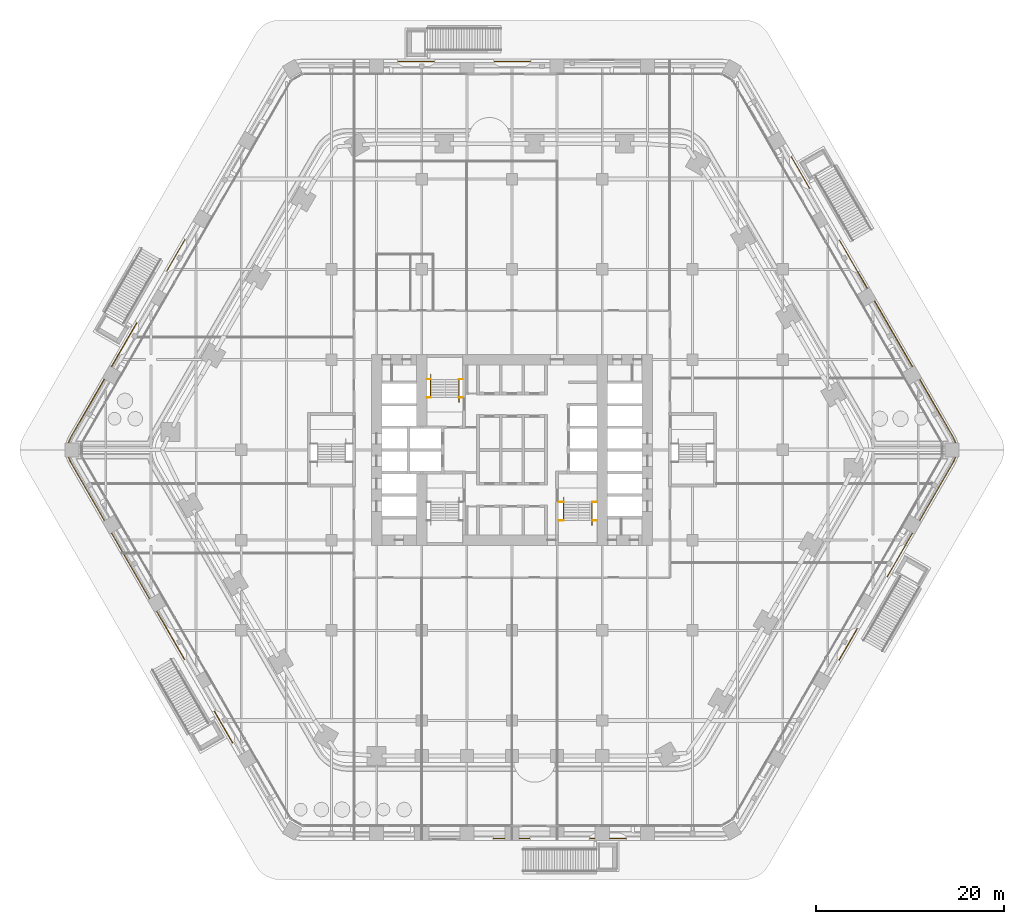
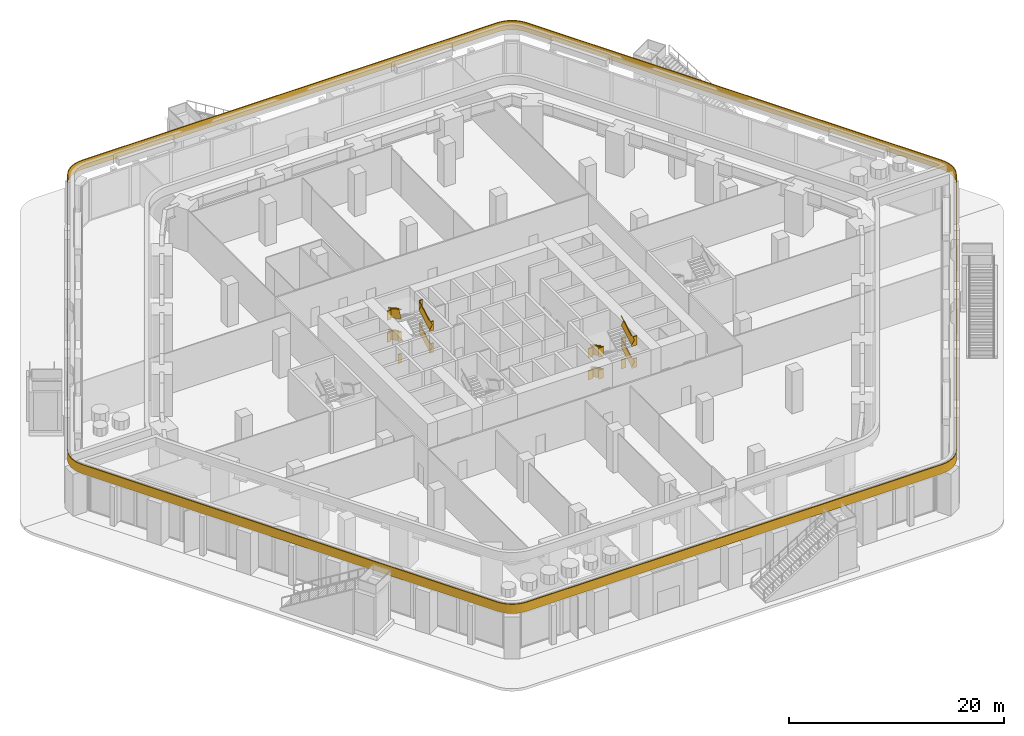
# One storey, part 31 of 34: 5 railings.
"""IFC4 building model written with IfcOpenShell, lengths in metres."""

from ifc_helpers import new_model, si_unit, direction, frame, frame_2d, origin, origin_2d, place, context, subcontext, project, spatial, rectangle, extrude, material, type_object, element, save


model = new_model("IFC4")

# Units and contexts
model_context = context("Model", 3, precision=1e-05, world=origin(), true_north=direction((0.0, 1.0)))
body_context = subcontext(model_context, "Body", "Model", "MODEL_VIEW")
ifc_project = project(units=[si_unit("LENGTHUNIT", "METRE"), si_unit("AREAUNIT", "SQUARE_METRE"), si_unit("VOLUMEUNIT", "CUBIC_METRE"), si_unit("PLANEANGLEUNIT", "RADIAN"), si_unit("MASSUNIT", "GRAM", prefix="KILO")], contexts=[model_context])

# Site, building, storey
site_placement = place(None, origin())
site = spatial("IfcSite", under=ifc_project, at=site_placement, CompositionType="ELEMENT")
building_placement = place(site_placement, origin())
building = spatial("IfcBuilding", under=site, at=building_placement, Name="Kolab Exchange Tower", CompositionType="ELEMENT")
storey_placement = place(building_placement, frame((0.0, 0.0, 12.39990234375)))
storey = spatial("IfcBuildingStorey", under=building, at=storey_placement, Name="L02", CompositionType="ELEMENT", Elevation=12.39990234375)

# Railings
ifc_material_1 = material(Name="Stainless steel 316", Category="steel")
railing_type_1 = type_object("IfcRailingType", Name="GUARD 1100", PredefinedType="GUARDRAIL", material=ifc_material_1)
railing_1_placement = place(storey_placement, frame((-9.050048828125, 5.550048828125, 0.0)))
element("IfcRailing", 1, at=railing_1_placement, inside=storey, type_object=railing_type_1, Name="Guard ST1", PredefinedType="GUARDRAIL", context=body_context, shape_type="SweptSolid", body=[
    extrude(rectangle(XDim=0.05, YDim=0.05, at=origin_2d()), frame((0.0, 0.0, 1.0751953125), z_axis=(1.0, 0.0, 0.0), x_axis=(0.0, 1.0, 0.0)), (0.0, 0.0, 1.0), 0.39013671875),
    extrude(rectangle(XDim=0.012, YDim=1.05009765625, at=frame_2d((0.0, 0.525146484375))), frame((0.0, 0.0, 0.0), z_axis=(1.0, 0.0, 0.0), x_axis=(0.0, 1.0, 0.0)), (0.0, 0.0, 1.0), 0.39013671875),
    extrude(rectangle(XDim=0.05, YDim=0.05, at=origin_2d()), frame((3.41015625, 0.0, 1.0751953125), z_axis=(1.0, 0.0, 0.0), x_axis=(0.0, 1.0, 0.0)), (0.0, 0.0, 1.0), 0.389892578125),
    extrude(rectangle(XDim=0.012, YDim=1.05009765625, at=frame_2d((0.0, 0.525146484375))), frame((3.41015625, 0.0, 0.0), z_axis=(1.0, 0.0, 0.0), x_axis=(0.0, 1.0, 0.0)), (0.0, 0.0, 1.0), 0.389892578125),
    extrude(rectangle(XDim=0.05, YDim=0.05, at=origin_2d()), frame((0.0, 1.9599609375, 2.3251953125), z_axis=(1.0, 0.0, 0.0), x_axis=(0.0, 1.0, 0.0)), (0.0, 0.0, 1.0), 0.39013671875),
    extrude(rectangle(XDim=0.012, YDim=1.05009765625, at=frame_2d((0.0, 0.525146484375))), frame((0.0, 1.9599609375, 1.25), z_axis=(1.0, 0.0, 0.0), x_axis=(0.0, 1.0, 0.0)), (0.0, 0.0, 1.0), 0.39013671875),
    extrude(rectangle(XDim=0.05, YDim=0.05, at=origin_2d()), frame((3.41015625, 1.9599609375, 2.3251953125), z_axis=(1.0, 0.0, 0.0), x_axis=(0.0, 1.0, 0.0)), (0.0, 0.0, 1.0), 0.389892578125),
    extrude(rectangle(XDim=0.012, YDim=1.05009765625, at=frame_2d((0.0, 0.525146484375))), frame((3.41015625, 1.9599609375, 1.25), z_axis=(1.0, 0.0, 0.0), x_axis=(0.0, 1.0, 0.0)), (0.0, 0.0, 1.0), 0.389892578125),
    extrude(rectangle(XDim=0.05, YDim=0.05, at=origin_2d()), frame((0.0, 0.0, 3.5751953125), z_axis=(1.0, 0.0, 0.0), x_axis=(0.0, 1.0, 0.0)), (0.0, 0.0, 1.0), 0.39013671875),
    extrude(rectangle(XDim=0.012, YDim=1.05009765625, at=frame_2d((0.0, 0.525146484375))), frame((0.0, 0.0, 2.5), z_axis=(1.0, 0.0, 0.0), x_axis=(0.0, 1.0, 0.0)), (0.0, 0.0, 1.0), 0.39013671875),
    extrude(rectangle(XDim=0.05, YDim=0.05, at=origin_2d()), frame((3.41015625, 0.0, 3.5751953125), z_axis=(1.0, 0.0, 0.0), x_axis=(0.0, 1.0, 0.0)), (0.0, 0.0, 1.0), 0.389892578125),
    extrude(rectangle(XDim=0.012, YDim=1.05009765625, at=frame_2d((0.0, 0.525146484375))), frame((3.41015625, 0.0, 2.5), z_axis=(1.0, 0.0, 0.0), x_axis=(0.0, 1.0, 0.0)), (0.0, 0.0, 1.0), 0.389892578125),
    extrude(rectangle(XDim=0.05, YDim=0.05, at=origin_2d()), frame((0.0, 1.9599609375, 4.8251953125), z_axis=(1.0, 0.0, 0.0), x_axis=(0.0, 1.0, 0.0)), (0.0, 0.0, 1.0), 0.39013671875),
    extrude(rectangle(XDim=0.012, YDim=1.05009765625, at=frame_2d((0.0, 0.525146484375))), frame((0.0, 1.9599609375, 3.75), z_axis=(1.0, 0.0, 0.0), x_axis=(0.0, 1.0, 0.0)), (0.0, 0.0, 1.0), 0.39013671875),
    extrude(rectangle(XDim=0.05, YDim=0.05, at=origin_2d()), frame((3.41015625, 1.9599609375, 4.8251953125), z_axis=(1.0, 0.0, 0.0), x_axis=(0.0, 1.0, 0.0)), (0.0, 0.0, 1.0), 0.389892578125),
    extrude(rectangle(XDim=0.012, YDim=1.05009765625, at=frame_2d((0.0, 0.525146484375))), frame((3.41015625, 1.9599609375, 3.75), z_axis=(1.0, 0.0, 0.0), x_axis=(0.0, 1.0, 0.0)), (0.0, 0.0, 1.0), 0.389892578125),
])
railing_2_placement = place(storey_placement, frame((-5.639892578125, 5.550048828125, 0.156494140625)))
element("IfcRailing", 2, at=railing_2_placement, inside=storey, type_object=railing_type_1, Name="Handrail guard ST1", PredefinedType="GUARDRAIL", context=body_context, shape_type="SweptSolid", body=[
    extrude(rectangle(XDim=0.05, YDim=0.05, at=origin_2d()), frame((0.0, 0.0, 1.0751953125), z_axis=(0.0, 0.873278433264, 0.487221487617), x_axis=(-1.0, 0.0, 0.0)), (0.0, 0.0, 1.0), 2.244384765625),
    extrude(rectangle(XDim=0.012, YDim=1.05009765625, at=frame_2d((0.0, 0.525146484375))), frame((0.0, 0.0, 0.0), z_axis=(0.0, 0.873278433264, 0.487221487617), x_axis=(-1.0, 0.0, 0.0)), (0.0, 0.0, 1.0), 2.244384765625),
    extrude(rectangle(XDim=0.05, YDim=0.05, at=origin_2d()), frame((-3.02001953125, 1.9599609375, 2.3251953125), z_axis=(0.0, -0.873278433264, 0.487221487617), x_axis=(1.0, 0.0, 0.0)), (0.0, 0.0, 1.0), 2.244384765625),
    extrude(rectangle(XDim=0.012, YDim=1.05009765625, at=frame_2d((0.0, 0.525146484375))), frame((-3.02001953125, 1.9599609375, 1.25), z_axis=(0.0, -0.873278433264, 0.487221487617), x_axis=(1.0, 0.0, 0.0)), (0.0, 0.0, 1.0), 2.244384765625),
    extrude(rectangle(XDim=0.05, YDim=0.05, at=origin_2d()), frame((0.0, 0.0, 3.5751953125), z_axis=(0.0, 0.873278433264, 0.487221487617), x_axis=(-1.0, 0.0, 0.0)), (0.0, 0.0, 1.0), 2.244384765625),
    extrude(rectangle(XDim=0.012, YDim=1.05009765625, at=frame_2d((0.0, 0.525146484375))), frame((0.0, 0.0, 2.5), z_axis=(0.0, 0.873278433264, 0.487221487617), x_axis=(-1.0, 0.0, 0.0)), (0.0, 0.0, 1.0), 2.244384765625),
    extrude(rectangle(XDim=0.05, YDim=0.05, at=origin_2d()), frame((-3.02001953125, 1.9599609375, 4.824951171875), z_axis=(0.0, -0.873232148454, 0.487304437602), x_axis=(1.0, 0.0, 0.0)), (0.0, 0.0, 1.0), 2.244384765625),
    extrude(rectangle(XDim=0.012, YDim=1.05009765625, at=frame_2d((0.0, 0.525146484375))), frame((-3.02001953125, 1.9599609375, 3.749755859375), z_axis=(0.0, -0.873232148454, 0.487304437602), x_axis=(1.0, 0.0, 0.0)), (0.0, 0.0, 1.0), 2.244384765625),
])
railing_3_placement = place(storey_placement, frame((4.949951171875, -5.550048828125, 0.0)))
element("IfcRailing", 3, at=railing_3_placement, inside=storey, type_object=railing_type_1, Name="Guard ST2", PredefinedType="GUARDRAIL", context=body_context, shape_type="SweptSolid", body=[
    extrude(rectangle(XDim=0.05, YDim=0.05, at=origin_2d()), frame((0.0, 0.0, 1.0751953125), z_axis=(1.0, 0.0, 0.0), x_axis=(0.0, 1.0, 0.0)), (0.0, 0.0, 1.0), 0.5400390625),
    extrude(rectangle(XDim=0.012, YDim=1.05009765625, at=frame_2d((0.0, 0.525146484375))), frame((0.0, 0.0, 0.0), z_axis=(1.0, 0.0, 0.0), x_axis=(0.0, 1.0, 0.0)), (0.0, 0.0, 1.0), 0.5400390625),
    extrude(rectangle(XDim=0.05, YDim=0.05, at=origin_2d()), frame((3.56005859375, 0.0, 1.0751953125), z_axis=(1.0, 0.0, 0.0), x_axis=(0.0, 1.0, 0.0)), (0.0, 0.0, 1.0), 0.5400390625),
    extrude(rectangle(XDim=0.012, YDim=1.05009765625, at=frame_2d((0.0, 0.525146484375))), frame((3.56005859375, 0.0, 0.0), z_axis=(1.0, 0.0, 0.0), x_axis=(0.0, 1.0, 0.0)), (0.0, 0.0, 1.0), 0.5400390625),
    extrude(rectangle(XDim=0.05, YDim=0.05, at=origin_2d()), frame((0.0, -1.9599609375, 2.3251953125), z_axis=(1.0, 0.0, 0.0), x_axis=(0.0, 1.0, 0.0)), (0.0, 0.0, 1.0), 0.5400390625),
    extrude(rectangle(XDim=0.012, YDim=1.05009765625, at=frame_2d((0.0, 0.525146484375))), frame((0.0, -1.9599609375, 1.25), z_axis=(1.0, 0.0, 0.0), x_axis=(0.0, 1.0, 0.0)), (0.0, 0.0, 1.0), 0.5400390625),
    extrude(rectangle(XDim=0.05, YDim=0.05, at=origin_2d()), frame((3.56005859375, -1.9599609375, 2.3251953125), z_axis=(1.0, 0.0, 0.0), x_axis=(0.0, 1.0, 0.0)), (0.0, 0.0, 1.0), 0.5400390625),
    extrude(rectangle(XDim=0.012, YDim=1.05009765625, at=frame_2d((0.0, 0.525146484375))), frame((3.56005859375, -1.9599609375, 1.25), z_axis=(1.0, 0.0, 0.0), x_axis=(0.0, 1.0, 0.0)), (0.0, 0.0, 1.0), 0.5400390625),
    extrude(rectangle(XDim=0.05, YDim=0.05, at=origin_2d()), frame((0.0, 0.0, 3.5751953125), z_axis=(1.0, 0.0, 0.0), x_axis=(0.0, 1.0, 0.0)), (0.0, 0.0, 1.0), 0.5400390625),
    extrude(rectangle(XDim=0.012, YDim=1.05009765625, at=frame_2d((0.0, 0.525146484375))), frame((0.0, 0.0, 2.5), z_axis=(1.0, 0.0, 0.0), x_axis=(0.0, 1.0, 0.0)), (0.0, 0.0, 1.0), 0.5400390625),
    extrude(rectangle(XDim=0.05, YDim=0.05, at=origin_2d()), frame((3.56005859375, 0.0, 3.5751953125), z_axis=(1.0, 0.0, 0.0), x_axis=(0.0, 1.0, 0.0)), (0.0, 0.0, 1.0), 0.5400390625),
    extrude(rectangle(XDim=0.012, YDim=1.05009765625, at=frame_2d((0.0, 0.525146484375))), frame((3.56005859375, 0.0, 2.5), z_axis=(1.0, 0.0, 0.0), x_axis=(0.0, 1.0, 0.0)), (0.0, 0.0, 1.0), 0.5400390625),
    extrude(rectangle(XDim=0.05, YDim=0.05, at=origin_2d()), frame((0.0, -1.9599609375, 4.8251953125), z_axis=(1.0, 0.0, 0.0), x_axis=(0.0, 1.0, 0.0)), (0.0, 0.0, 1.0), 0.5400390625),
    extrude(rectangle(XDim=0.012, YDim=1.05009765625, at=frame_2d((0.0, 0.525146484375))), frame((0.0, -1.9599609375, 3.75), z_axis=(1.0, 0.0, 0.0), x_axis=(0.0, 1.0, 0.0)), (0.0, 0.0, 1.0), 0.5400390625),
    extrude(rectangle(XDim=0.05, YDim=0.05, at=origin_2d()), frame((3.56005859375, -1.9599609375, 4.8251953125), z_axis=(1.0, 0.0, 0.0), x_axis=(0.0, 1.0, 0.0)), (0.0, 0.0, 1.0), 0.5400390625),
    extrude(rectangle(XDim=0.012, YDim=1.05009765625, at=frame_2d((0.0, 0.525146484375))), frame((3.56005859375, -1.9599609375, 3.75), z_axis=(1.0, 0.0, 0.0), x_axis=(0.0, 1.0, 0.0)), (0.0, 0.0, 1.0), 0.5400390625),
])
railing_4_placement = place(storey_placement, frame((5.489990234375, -5.550048828125, 0.156494140625)))
element("IfcRailing", 4, at=railing_4_placement, inside=storey, type_object=railing_type_1, Name="Handrail guard ST2", PredefinedType="GUARDRAIL", context=body_context, shape_type="SweptSolid", body=[
    extrude(rectangle(XDim=0.05, YDim=0.05, at=origin_2d()), frame((0.0, 0.0, 1.0751953125), z_axis=(0.0, -0.873278433264, 0.487221487617), x_axis=(1.0, 0.0, 0.0)), (0.0, 0.0, 1.0), 2.244384765625),
    extrude(rectangle(XDim=0.012, YDim=1.05009765625, at=frame_2d((0.0, 0.525146484375))), frame((0.0, 0.0, 0.0), z_axis=(0.0, -0.873278433264, 0.487221487617), x_axis=(1.0, 0.0, 0.0)), (0.0, 0.0, 1.0), 2.244384765625),
    extrude(rectangle(XDim=0.05, YDim=0.05, at=origin_2d()), frame((3.02001953125, -1.9599609375, 2.3251953125), z_axis=(0.0, 0.873278433264, 0.487221487617), x_axis=(-1.0, 0.0, 0.0)), (0.0, 0.0, 1.0), 2.244384765625),
    extrude(rectangle(XDim=0.012, YDim=1.05009765625, at=frame_2d((0.0, 0.525146484375))), frame((3.02001953125, -1.9599609375, 1.25), z_axis=(0.0, 0.873278433264, 0.487221487617), x_axis=(-1.0, 0.0, 0.0)), (0.0, 0.0, 1.0), 2.244384765625),
    extrude(rectangle(XDim=0.05, YDim=0.05, at=origin_2d()), frame((0.0, 0.0, 3.5751953125), z_axis=(0.0, -0.873278433264, 0.487221487617), x_axis=(1.0, 0.0, 0.0)), (0.0, 0.0, 1.0), 2.244384765625),
    extrude(rectangle(XDim=0.012, YDim=1.05009765625, at=frame_2d((0.0, 0.525146484375))), frame((0.0, 0.0, 2.5), z_axis=(0.0, -0.873278433264, 0.487221487617), x_axis=(1.0, 0.0, 0.0)), (0.0, 0.0, 1.0), 2.244384765625),
    extrude(rectangle(XDim=0.05, YDim=0.05, at=origin_2d()), frame((3.02001953125, -1.9599609375, 4.824951171875), z_axis=(0.0, 0.873232148454, 0.487304437602), x_axis=(-1.0, 0.0, 0.0)), (0.0, 0.0, 1.0), 2.244384765625),
    extrude(rectangle(XDim=0.012, YDim=1.05009765625, at=frame_2d((0.0, 0.525146484375))), frame((3.02001953125, -1.9599609375, 3.749755859375), z_axis=(0.0, 0.873232148454, 0.487304437602), x_axis=(-1.0, 0.0, 0.0)), (0.0, 0.0, 1.0), 2.244384765625),
])
ifc_material_2 = material(Name="Steel S235", Category="steel")
railing_type_2 = type_object("IfcRailingType", Name="GUARD 1100 GLASS BALUSTRADE AND STEEL TOP RAIL", PredefinedType="GUARDRAIL", material=ifc_material_2)
railing_5_placement = place(storey_placement, frame((46.912109375, -1.384521484375, 5.0)))
element("IfcRailing", 5, at=railing_5_placement, inside=storey, type_object=railing_type_2, Name="Terrace guard", PredefinedType="GUARDRAIL", context=body_context, shape_type="SweptSolid", body=[
    extrude(rectangle(XDim=0.05, YDim=0.05, at=origin_2d()), frame((0.0, 0.0, 1.0751953125), z_axis=(-0.50000097815, -0.866024839048, 0.0), x_axis=(0.866024839048, -0.50000097815, 0.0)), (0.0, 0.0, 1.0), 44.51416015625),
    extrude(rectangle(XDim=0.012, YDim=1.05009765625, at=frame_2d((0.0, 0.525146484375))), frame((0.0, 0.0, 0.0), z_axis=(-0.50000097815, -0.866024839048, 0.0), x_axis=(0.866024839048, -0.50000097815, 0.0)), (0.0, 0.0, 1.0), 44.51416015625),
    extrude(rectangle(XDim=0.05, YDim=0.05, at=origin_2d()), frame((-22.257080078125, -38.55029296875, 1.0751953125), z_axis=(-0.573863466501, -0.818950988653, 0.0), x_axis=(0.818950988653, -0.573863466501, 0.0)), (0.0, 0.0, 1.0), 0.489990234375),
    extrude(rectangle(XDim=0.012, YDim=1.05009765625, at=frame_2d((0.0, 0.525146484375))), frame((-22.257080078125, -38.55029296875, 0.0), z_axis=(-0.573863466501, -0.818950988653, 0.0), x_axis=(0.818950988653, -0.573863466501, 0.0)), (0.0, 0.0, 1.0), 0.489990234375),
    extrude(rectangle(XDim=0.05, YDim=0.05, at=origin_2d()), frame((-22.538330078125, -38.95166015625, 1.0751953125), z_axis=(-0.707106781187, -0.707106781187, 0.0), x_axis=(0.707106781187, -0.707106781187, 0.0)), (0.0, 0.0, 1.0), 0.479248046875),
    extrude(rectangle(XDim=0.012, YDim=1.05009765625, at=frame_2d((0.0, 0.525146484375))), frame((-22.538330078125, -38.95166015625, 0.0), z_axis=(-0.707106781187, -0.707106781187, 0.0), x_axis=(0.707106781187, -0.707106781187, 0.0)), (0.0, 0.0, 1.0), 0.479248046875),
    extrude(rectangle(XDim=0.05, YDim=0.05, at=origin_2d()), frame((-22.877197265625, -39.29052734375, 1.0751953125), z_axis=(-0.818968470519, -0.573838517613, 0.0), x_axis=(0.573838517613, -0.818968470519, 0.0)), (0.0, 0.0, 1.0), 0.47900390625),
    extrude(rectangle(XDim=0.012, YDim=1.05009765625, at=frame_2d((0.0, 0.525146484375))), frame((-22.877197265625, -39.29052734375, 0.0), z_axis=(-0.818968470519, -0.573838517613, 0.0), x_axis=(0.573838517613, -0.818968470519, 0.0)), (0.0, 0.0, 1.0), 0.47900390625),
    extrude(rectangle(XDim=0.05, YDim=0.05, at=origin_2d()), frame((-23.26953125, -39.5654296875, 1.0751953125), z_axis=(-0.906222177721, -0.422801802984, 0.0), x_axis=(0.422801802984, -0.906222177721, 0.0)), (0.0, 0.0, 1.0), 0.479248046875),
    extrude(rectangle(XDim=0.012, YDim=1.05009765625, at=frame_2d((0.0, 0.525146484375))), frame((-23.26953125, -39.5654296875, 0.0), z_axis=(-0.906222177721, -0.422801802984, 0.0), x_axis=(0.422801802984, -0.906222177721, 0.0)), (0.0, 0.0, 1.0), 0.479248046875),
    extrude(rectangle(XDim=0.05, YDim=0.05, at=origin_2d()), frame((-23.703857421875, -39.76806640625, 1.0751953125), z_axis=(-0.965929859648, -0.258803991931, 0.0), x_axis=(0.258803991931, -0.965929859648, 0.0)), (0.0, 0.0, 1.0), 0.479248046875),
    extrude(rectangle(XDim=0.012, YDim=1.05009765625, at=frame_2d((0.0, 0.525146484375))), frame((-23.703857421875, -39.76806640625, 0.0), z_axis=(-0.965929859648, -0.258803991931, 0.0), x_axis=(0.258803991931, -0.965929859648, 0.0)), (0.0, 0.0, 1.0), 0.479248046875),
    extrude(rectangle(XDim=0.05, YDim=0.05, at=origin_2d()), frame((-24.166748046875, -39.89208984375, 1.0751953125), z_axis=(-0.996193717496, -0.087166950281, 0.0), x_axis=(0.087166950281, -0.996193717496, 0.0)), (0.0, 0.0, 1.0), 0.490234375),
    extrude(rectangle(XDim=0.012, YDim=1.05009765625, at=frame_2d((0.0, 0.525146484375))), frame((-24.166748046875, -39.89208984375, 0.0), z_axis=(-0.996193717496, -0.087166950281, 0.0), x_axis=(0.087166950281, -0.996193717496, 0.0)), (0.0, 0.0, 1.0), 0.490234375),
    extrude(rectangle(XDim=0.05, YDim=0.05, at=origin_2d()), frame((-24.655029296875, -39.934814453125, 1.0751953125), z_axis=(-1.0, 0.0, 0.0), x_axis=(0.0, -1.0, 0.0)), (0.0, 0.0, 1.0), 44.51416015625),
    extrude(rectangle(XDim=0.012, YDim=1.05009765625, at=frame_2d((0.0, 0.525146484375))), frame((-24.655029296875, -39.934814453125, 0.0), z_axis=(-1.0, 0.0, 0.0), x_axis=(0.0, -1.0, 0.0)), (0.0, 0.0, 1.0), 44.51416015625),
    extrude(rectangle(XDim=0.05, YDim=0.05, at=origin_2d()), frame((-69.169189453125, -39.934814453125, 1.0751953125), z_axis=(-0.996193717496, 0.087166950281, 0.0), x_axis=(-0.087166950281, -0.996193717496, 0.0)), (0.0, 0.0, 1.0), 0.490234375),
    extrude(rectangle(XDim=0.012, YDim=1.05009765625, at=frame_2d((0.0, 0.525146484375))), frame((-69.169189453125, -39.934814453125, 0.0), z_axis=(-0.996193717496, 0.087166950281, 0.0), x_axis=(-0.087166950281, -0.996193717496, 0.0)), (0.0, 0.0, 1.0), 0.490234375),
    extrude(rectangle(XDim=0.05, YDim=0.05, at=origin_2d()), frame((-69.657470703125, -39.89208984375, 1.0751953125), z_axis=(-0.965929859648, 0.258803991931, 0.0), x_axis=(-0.258803991931, -0.965929859648, 0.0)), (0.0, 0.0, 1.0), 0.479248046875),
    extrude(rectangle(XDim=0.012, YDim=1.05009765625, at=frame_2d((0.0, 0.525146484375))), frame((-69.657470703125, -39.89208984375, 0.0), z_axis=(-0.965929859648, 0.258803991931, 0.0), x_axis=(-0.258803991931, -0.965929859648, 0.0)), (0.0, 0.0, 1.0), 0.479248046875),
    extrude(rectangle(XDim=0.05, YDim=0.05, at=origin_2d()), frame((-70.120361328125, -39.76806640625, 1.0751953125), z_axis=(-0.906222177721, 0.422801802984, 0.0), x_axis=(-0.422801802984, -0.906222177721, 0.0)), (0.0, 0.0, 1.0), 0.479248046875),
    extrude(rectangle(XDim=0.012, YDim=1.05009765625, at=frame_2d((0.0, 0.525146484375))), frame((-70.120361328125, -39.76806640625, 0.0), z_axis=(-0.906222177721, 0.422801802984, 0.0), x_axis=(-0.422801802984, -0.906222177721, 0.0)), (0.0, 0.0, 1.0), 0.479248046875),
    extrude(rectangle(XDim=0.05, YDim=0.05, at=origin_2d()), frame((-70.5546875, -39.5654296875, 1.0751953125), z_axis=(-0.818968470519, 0.573838517613, 0.0), x_axis=(-0.573838517613, -0.818968470519, 0.0)), (0.0, 0.0, 1.0), 0.47900390625),
    extrude(rectangle(XDim=0.012, YDim=1.05009765625, at=frame_2d((0.0, 0.525146484375))), frame((-70.5546875, -39.5654296875, 0.0), z_axis=(-0.818968470519, 0.573838517613, 0.0), x_axis=(-0.573838517613, -0.818968470519, 0.0)), (0.0, 0.0, 1.0), 0.47900390625),
    extrude(rectangle(XDim=0.05, YDim=0.05, at=origin_2d()), frame((-70.947021484375, -39.29052734375, 1.0751953125), z_axis=(-0.707106781187, 0.707106781187, 0.0), x_axis=(-0.707106781187, -0.707106781187, 0.0)), (0.0, 0.0, 1.0), 0.479248046875),
    extrude(rectangle(XDim=0.012, YDim=1.05009765625, at=frame_2d((0.0, 0.525146484375))), frame((-70.947021484375, -39.29052734375, 0.0), z_axis=(-0.707106781187, 0.707106781187, 0.0), x_axis=(-0.707106781187, -0.707106781187, 0.0)), (0.0, 0.0, 1.0), 0.479248046875),
    extrude(rectangle(XDim=0.05, YDim=0.05, at=origin_2d()), frame((-71.285888671875, -38.95166015625, 1.0751953125), z_axis=(-0.573863466501, 0.818950988653, 0.0), x_axis=(-0.818950988653, -0.573863466501, 0.0)), (0.0, 0.0, 1.0), 0.489990234375),
    extrude(rectangle(XDim=0.012, YDim=1.05009765625, at=frame_2d((0.0, 0.525146484375))), frame((-71.285888671875, -38.95166015625, 0.0), z_axis=(-0.573863466501, 0.818950988653, 0.0), x_axis=(-0.818950988653, -0.573863466501, 0.0)), (0.0, 0.0, 1.0), 0.489990234375),
    extrude(rectangle(XDim=0.05, YDim=0.05, at=origin_2d()), frame((-71.567138671875, -38.55029296875, 1.0751953125), z_axis=(-0.50000097815, 0.866024839048, 0.0), x_axis=(-0.866024839048, -0.50000097815, 0.0)), (0.0, 0.0, 1.0), 44.51416015625),
    extrude(rectangle(XDim=0.012, YDim=1.05009765625, at=frame_2d((0.0, 0.525146484375))), frame((-71.567138671875, -38.55029296875, 0.0), z_axis=(-0.50000097815, 0.866024839048, 0.0), x_axis=(-0.866024839048, -0.50000097815, 0.0)), (0.0, 0.0, 1.0), 44.51416015625),
    extrude(rectangle(XDim=0.05, YDim=0.05, at=origin_2d()), frame((-93.82421875, 0.0, 1.0751953125), z_axis=(-0.422340086698, 0.906437450224, 0.0), x_axis=(-0.906437450224, -0.422340086698, 0.0)), (0.0, 0.0, 1.0), 0.490234375),
    extrude(rectangle(XDim=0.012, YDim=1.05009765625, at=frame_2d((0.0, 0.525146484375))), frame((-93.82421875, 0.0, 0.0), z_axis=(-0.422340086698, 0.906437450224, 0.0), x_axis=(-0.906437450224, -0.422340086698, 0.0)), (0.0, 0.0, 1.0), 0.490234375),
    extrude(rectangle(XDim=0.05, YDim=0.05, at=origin_2d()), frame((-94.03125, 0.4443359375, 1.0751953125), z_axis=(-0.258803991931, 0.965929859648, 0.0), x_axis=(-0.965929859648, -0.258803991931, 0.0)), (0.0, 0.0, 1.0), 0.479248046875),
    extrude(rectangle(XDim=0.012, YDim=1.05009765625, at=frame_2d((0.0, 0.525146484375))), frame((-94.03125, 0.4443359375, 0.0), z_axis=(-0.258803991931, 0.965929859648, 0.0), x_axis=(-0.965929859648, -0.258803991931, 0.0)), (0.0, 0.0, 1.0), 0.479248046875),
    extrude(rectangle(XDim=0.05, YDim=0.05, at=origin_2d()), frame((-94.1552734375, 0.9072265625, 1.0751953125), z_axis=(-0.087135344505, 0.996196482496, 0.0), x_axis=(-0.996196482496, -0.087135344505, 0.0)), (0.0, 0.0, 1.0), 0.47900390625),
    extrude(rectangle(XDim=0.012, YDim=1.05009765625, at=frame_2d((0.0, 0.525146484375))), frame((-94.1552734375, 0.9072265625, 0.0), z_axis=(-0.087135344505, 0.996196482496, 0.0), x_axis=(-0.996196482496, -0.087135344505, 0.0)), (0.0, 0.0, 1.0), 0.47900390625),
    extrude(rectangle(XDim=0.05, YDim=0.05, at=origin_2d()), frame((-94.197021484375, 1.384521484375, 1.0751953125), z_axis=(0.087135344505, 0.996196482496, 0.0), x_axis=(-0.996196482496, 0.087135344505, 0.0)), (0.0, 0.0, 1.0), 0.47900390625),
    extrude(rectangle(XDim=0.012, YDim=1.05009765625, at=frame_2d((0.0, 0.525146484375))), frame((-94.197021484375, 1.384521484375, 0.0), z_axis=(0.087135344505, 0.996196482496, 0.0), x_axis=(-0.996196482496, 0.087135344505, 0.0)), (0.0, 0.0, 1.0), 0.47900390625),
    extrude(rectangle(XDim=0.05, YDim=0.05, at=origin_2d()), frame((-94.1552734375, 1.86181640625, 1.0751953125), z_axis=(0.258803991931, 0.965929859648, 0.0), x_axis=(-0.965929859648, 0.258803991931, 0.0)), (0.0, 0.0, 1.0), 0.479248046875),
    extrude(rectangle(XDim=0.012, YDim=1.05009765625, at=frame_2d((0.0, 0.525146484375))), frame((-94.1552734375, 1.86181640625, 0.0), z_axis=(0.258803991931, 0.965929859648, 0.0), x_axis=(-0.965929859648, 0.258803991931, 0.0)), (0.0, 0.0, 1.0), 0.479248046875),
    extrude(rectangle(XDim=0.05, YDim=0.05, at=origin_2d()), frame((-94.03125, 2.32470703125, 1.0751953125), z_axis=(0.422340086698, 0.906437450224, 0.0), x_axis=(-0.906437450224, 0.422340086698, 0.0)), (0.0, 0.0, 1.0), 0.490234375),
    extrude(rectangle(XDim=0.012, YDim=1.05009765625, at=frame_2d((0.0, 0.525146484375))), frame((-94.03125, 2.32470703125, 0.0), z_axis=(0.422340086698, 0.906437450224, 0.0), x_axis=(-0.906437450224, 0.422340086698, 0.0)), (0.0, 0.0, 1.0), 0.490234375),
    extrude(rectangle(XDim=0.05, YDim=0.05, at=origin_2d()), frame((-93.82421875, 2.76904296875, 1.0751953125), z_axis=(0.50000097815, 0.866024839048, 0.0), x_axis=(-0.866024839048, 0.50000097815, 0.0)), (0.0, 0.0, 1.0), 44.51416015625),
    extrude(rectangle(XDim=0.012, YDim=1.05009765625, at=frame_2d((0.0, 0.525146484375))), frame((-93.82421875, 2.76904296875, 0.0), z_axis=(0.50000097815, 0.866024839048, 0.0), x_axis=(-0.866024839048, 0.50000097815, 0.0)), (0.0, 0.0, 1.0), 44.51416015625),
    extrude(rectangle(XDim=0.05, YDim=0.05, at=origin_2d()), frame((-71.567138671875, 41.3193359375, 1.0751953125), z_axis=(0.573863466501, 0.818950988653, 0.0), x_axis=(-0.818950988653, 0.573863466501, 0.0)), (0.0, 0.0, 1.0), 0.489990234375),
    extrude(rectangle(XDim=0.012, YDim=1.05009765625, at=frame_2d((0.0, 0.525146484375))), frame((-71.567138671875, 41.3193359375, 0.0), z_axis=(0.573863466501, 0.818950988653, 0.0), x_axis=(-0.818950988653, 0.573863466501, 0.0)), (0.0, 0.0, 1.0), 0.489990234375),
    extrude(rectangle(XDim=0.05, YDim=0.05, at=origin_2d()), frame((-71.285888671875, 41.720703125, 1.0751953125), z_axis=(0.707106781187, 0.707106781187, 0.0), x_axis=(-0.707106781187, 0.707106781187, 0.0)), (0.0, 0.0, 1.0), 0.479248046875),
    extrude(rectangle(XDim=0.012, YDim=1.05009765625, at=frame_2d((0.0, 0.525146484375))), frame((-71.285888671875, 41.720703125, 0.0), z_axis=(0.707106781187, 0.707106781187, 0.0), x_axis=(-0.707106781187, 0.707106781187, 0.0)), (0.0, 0.0, 1.0), 0.479248046875),
    extrude(rectangle(XDim=0.05, YDim=0.05, at=origin_2d()), frame((-70.947021484375, 42.0595703125, 1.0751953125), z_axis=(0.818968470519, 0.573838517613, 0.0), x_axis=(-0.573838517613, 0.818968470519, 0.0)), (0.0, 0.0, 1.0), 0.47900390625),
    extrude(rectangle(XDim=0.012, YDim=1.05009765625, at=frame_2d((0.0, 0.525146484375))), frame((-70.947021484375, 42.0595703125, 0.0), z_axis=(0.818968470519, 0.573838517613, 0.0), x_axis=(-0.573838517613, 0.818968470519, 0.0)), (0.0, 0.0, 1.0), 0.47900390625),
    extrude(rectangle(XDim=0.05, YDim=0.05, at=origin_2d()), frame((-70.5546875, 42.33447265625, 1.0751953125), z_axis=(0.906222177721, 0.422801802984, 0.0), x_axis=(-0.422801802984, 0.906222177721, 0.0)), (0.0, 0.0, 1.0), 0.479248046875),
    extrude(rectangle(XDim=0.012, YDim=1.05009765625, at=frame_2d((0.0, 0.525146484375))), frame((-70.5546875, 42.33447265625, 0.0), z_axis=(0.906222177721, 0.422801802984, 0.0), x_axis=(-0.422801802984, 0.906222177721, 0.0)), (0.0, 0.0, 1.0), 0.479248046875),
    extrude(rectangle(XDim=0.05, YDim=0.05, at=origin_2d()), frame((-70.120361328125, 42.537109375, 1.0751953125), z_axis=(0.965929859648, 0.258803991931, 0.0), x_axis=(-0.258803991931, 0.965929859648, 0.0)), (0.0, 0.0, 1.0), 0.479248046875),
    extrude(rectangle(XDim=0.012, YDim=1.05009765625, at=frame_2d((0.0, 0.525146484375))), frame((-70.120361328125, 42.537109375, 0.0), z_axis=(0.965929859648, 0.258803991931, 0.0), x_axis=(-0.258803991931, 0.965929859648, 0.0)), (0.0, 0.0, 1.0), 0.479248046875),
    extrude(rectangle(XDim=0.05, YDim=0.05, at=origin_2d()), frame((-69.657470703125, 42.6611328125, 1.0751953125), z_axis=(0.996193717496, 0.087166950281, 0.0), x_axis=(-0.087166950281, 0.996193717496, 0.0)), (0.0, 0.0, 1.0), 0.490234375),
    extrude(rectangle(XDim=0.012, YDim=1.05009765625, at=frame_2d((0.0, 0.525146484375))), frame((-69.657470703125, 42.6611328125, 0.0), z_axis=(0.996193717496, 0.087166950281, 0.0), x_axis=(-0.087166950281, 0.996193717496, 0.0)), (0.0, 0.0, 1.0), 0.490234375),
    extrude(rectangle(XDim=0.05, YDim=0.05, at=origin_2d()), frame((-69.169189453125, 42.703857421875, 1.0751953125), z_axis=(1.0, 0.0, 0.0), x_axis=(0.0, 1.0, 0.0)), (0.0, 0.0, 1.0), 44.51416015625),
    extrude(rectangle(XDim=0.012, YDim=1.05009765625, at=frame_2d((0.0, 0.525146484375))), frame((-69.169189453125, 42.703857421875, 0.0), z_axis=(1.0, 0.0, 0.0), x_axis=(0.0, 1.0, 0.0)), (0.0, 0.0, 1.0), 44.51416015625),
    extrude(rectangle(XDim=0.05, YDim=0.05, at=origin_2d()), frame((-24.655029296875, 42.703857421875, 1.0751953125), z_axis=(0.996193717496, -0.087166950281, 0.0), x_axis=(0.087166950281, 0.996193717496, 0.0)), (0.0, 0.0, 1.0), 0.490234375),
    extrude(rectangle(XDim=0.012, YDim=1.05009765625, at=frame_2d((0.0, 0.525146484375))), frame((-24.655029296875, 42.703857421875, 0.0), z_axis=(0.996193717496, -0.087166950281, 0.0), x_axis=(0.087166950281, 0.996193717496, 0.0)), (0.0, 0.0, 1.0), 0.490234375),
    extrude(rectangle(XDim=0.05, YDim=0.05, at=origin_2d()), frame((-24.166748046875, 42.6611328125, 1.0751953125), z_axis=(0.965929859648, -0.258803991931, 0.0), x_axis=(0.258803991931, 0.965929859648, 0.0)), (0.0, 0.0, 1.0), 0.479248046875),
    extrude(rectangle(XDim=0.012, YDim=1.05009765625, at=frame_2d((0.0, 0.525146484375))), frame((-24.166748046875, 42.6611328125, 0.0), z_axis=(0.965929859648, -0.258803991931, 0.0), x_axis=(0.258803991931, 0.965929859648, 0.0)), (0.0, 0.0, 1.0), 0.479248046875),
    extrude(rectangle(XDim=0.05, YDim=0.05, at=origin_2d()), frame((-23.703857421875, 42.537109375, 1.0751953125), z_axis=(0.906222177721, -0.422801802984, 0.0), x_axis=(0.422801802984, 0.906222177721, 0.0)), (0.0, 0.0, 1.0), 0.479248046875),
    extrude(rectangle(XDim=0.012, YDim=1.05009765625, at=frame_2d((0.0, 0.525146484375))), frame((-23.703857421875, 42.537109375, 0.0), z_axis=(0.906222177721, -0.422801802984, 0.0), x_axis=(0.422801802984, 0.906222177721, 0.0)), (0.0, 0.0, 1.0), 0.479248046875),
    extrude(rectangle(XDim=0.05, YDim=0.05, at=origin_2d()), frame((-23.26953125, 42.33447265625, 1.0751953125), z_axis=(0.818968470519, -0.573838517613, 0.0), x_axis=(0.573838517613, 0.818968470519, 0.0)), (0.0, 0.0, 1.0), 0.47900390625),
    extrude(rectangle(XDim=0.012, YDim=1.05009765625, at=frame_2d((0.0, 0.525146484375))), frame((-23.26953125, 42.33447265625, 0.0), z_axis=(0.818968470519, -0.573838517613, 0.0), x_axis=(0.573838517613, 0.818968470519, 0.0)), (0.0, 0.0, 1.0), 0.47900390625),
    extrude(rectangle(XDim=0.05, YDim=0.05, at=origin_2d()), frame((-22.877197265625, 42.0595703125, 1.0751953125), z_axis=(0.707106781187, -0.707106781187, 0.0), x_axis=(0.707106781187, 0.707106781187, 0.0)), (0.0, 0.0, 1.0), 0.479248046875),
    extrude(rectangle(XDim=0.012, YDim=1.05009765625, at=frame_2d((0.0, 0.525146484375))), frame((-22.877197265625, 42.0595703125, 0.0), z_axis=(0.707106781187, -0.707106781187, 0.0), x_axis=(0.707106781187, 0.707106781187, 0.0)), (0.0, 0.0, 1.0), 0.479248046875),
    extrude(rectangle(XDim=0.05, YDim=0.05, at=origin_2d()), frame((-22.538330078125, 41.720703125, 1.0751953125), z_axis=(0.573863466501, -0.818950988653, 0.0), x_axis=(0.818950988653, 0.573863466501, 0.0)), (0.0, 0.0, 1.0), 0.489990234375),
    extrude(rectangle(XDim=0.012, YDim=1.05009765625, at=frame_2d((0.0, 0.525146484375))), frame((-22.538330078125, 41.720703125, 0.0), z_axis=(0.573863466501, -0.818950988653, 0.0), x_axis=(0.818950988653, 0.573863466501, 0.0)), (0.0, 0.0, 1.0), 0.489990234375),
    extrude(rectangle(XDim=0.05, YDim=0.05, at=origin_2d()), frame((-22.257080078125, 41.3193359375, 1.0751953125), z_axis=(0.50000097815, -0.866024839048, 0.0), x_axis=(0.866024839048, 0.50000097815, 0.0)), (0.0, 0.0, 1.0), 44.51416015625),
    extrude(rectangle(XDim=0.012, YDim=1.05009765625, at=frame_2d((0.0, 0.525146484375))), frame((-22.257080078125, 41.3193359375, 0.0), z_axis=(0.50000097815, -0.866024839048, 0.0), x_axis=(0.866024839048, 0.50000097815, 0.0)), (0.0, 0.0, 1.0), 44.51416015625),
    extrude(rectangle(XDim=0.05, YDim=0.05, at=origin_2d()), frame((0.0, 2.76904296875, 1.0751953125), z_axis=(0.422340086698, -0.906437450224, 0.0), x_axis=(0.906437450224, 0.422340086698, 0.0)), (0.0, 0.0, 1.0), 0.490234375),
    extrude(rectangle(XDim=0.012, YDim=1.05009765625, at=frame_2d((0.0, 0.525146484375))), frame((0.0, 2.76904296875, 0.0), z_axis=(0.422340086698, -0.906437450224, 0.0), x_axis=(0.906437450224, 0.422340086698, 0.0)), (0.0, 0.0, 1.0), 0.490234375),
    extrude(rectangle(XDim=0.05, YDim=0.05, at=origin_2d()), frame((0.20703125, 2.32470703125, 1.0751953125), z_axis=(0.258803991931, -0.965929859648, 0.0), x_axis=(0.965929859648, 0.258803991931, 0.0)), (0.0, 0.0, 1.0), 0.479248046875),
    extrude(rectangle(XDim=0.012, YDim=1.05009765625, at=frame_2d((0.0, 0.525146484375))), frame((0.20703125, 2.32470703125, 0.0), z_axis=(0.258803991931, -0.965929859648, 0.0), x_axis=(0.965929859648, 0.258803991931, 0.0)), (0.0, 0.0, 1.0), 0.479248046875),
    extrude(rectangle(XDim=0.05, YDim=0.05, at=origin_2d()), frame((0.3310546875, 1.86181640625, 1.0751953125), z_axis=(0.087135344505, -0.996196482496, 0.0), x_axis=(0.996196482496, 0.087135344505, 0.0)), (0.0, 0.0, 1.0), 0.47900390625),
    extrude(rectangle(XDim=0.012, YDim=1.05009765625, at=frame_2d((0.0, 0.525146484375))), frame((0.3310546875, 1.86181640625, 0.0), z_axis=(0.087135344505, -0.996196482496, 0.0), x_axis=(0.996196482496, 0.087135344505, 0.0)), (0.0, 0.0, 1.0), 0.47900390625),
    extrude(rectangle(XDim=0.05, YDim=0.05, at=origin_2d()), frame((0.372802734375, 1.384521484375, 1.0751953125), z_axis=(-0.087135344505, -0.996196482496, 0.0), x_axis=(0.996196482496, -0.087135344505, 0.0)), (0.0, 0.0, 1.0), 0.47900390625),
    extrude(rectangle(XDim=0.012, YDim=1.05009765625, at=frame_2d((0.0, 0.525146484375))), frame((0.372802734375, 1.384521484375, 0.0), z_axis=(-0.087135344505, -0.996196482496, 0.0), x_axis=(0.996196482496, -0.087135344505, 0.0)), (0.0, 0.0, 1.0), 0.47900390625),
    extrude(rectangle(XDim=0.05, YDim=0.05, at=origin_2d()), frame((0.3310546875, 0.9072265625, 1.0751953125), z_axis=(-0.258803991931, -0.965929859648, 0.0), x_axis=(0.965929859648, -0.258803991931, 0.0)), (0.0, 0.0, 1.0), 0.479248046875),
    extrude(rectangle(XDim=0.012, YDim=1.05009765625, at=frame_2d((0.0, 0.525146484375))), frame((0.3310546875, 0.9072265625, 0.0), z_axis=(-0.258803991931, -0.965929859648, 0.0), x_axis=(0.965929859648, -0.258803991931, 0.0)), (0.0, 0.0, 1.0), 0.479248046875),
    extrude(rectangle(XDim=0.05, YDim=0.05, at=origin_2d()), frame((0.20703125, 0.4443359375, 1.0751953125), z_axis=(-0.422340086698, -0.906437450224, 0.0), x_axis=(0.906437450224, -0.422340086698, 0.0)), (0.0, 0.0, 1.0), 0.490234375),
    extrude(rectangle(XDim=0.012, YDim=1.05009765625, at=frame_2d((0.0, 0.525146484375))), frame((0.20703125, 0.4443359375, 0.0), z_axis=(-0.422340086698, -0.906437450224, 0.0), x_axis=(0.906437450224, -0.422340086698, 0.0)), (0.0, 0.0, 1.0), 0.490234375),
])

save(model, "model.ifc")
